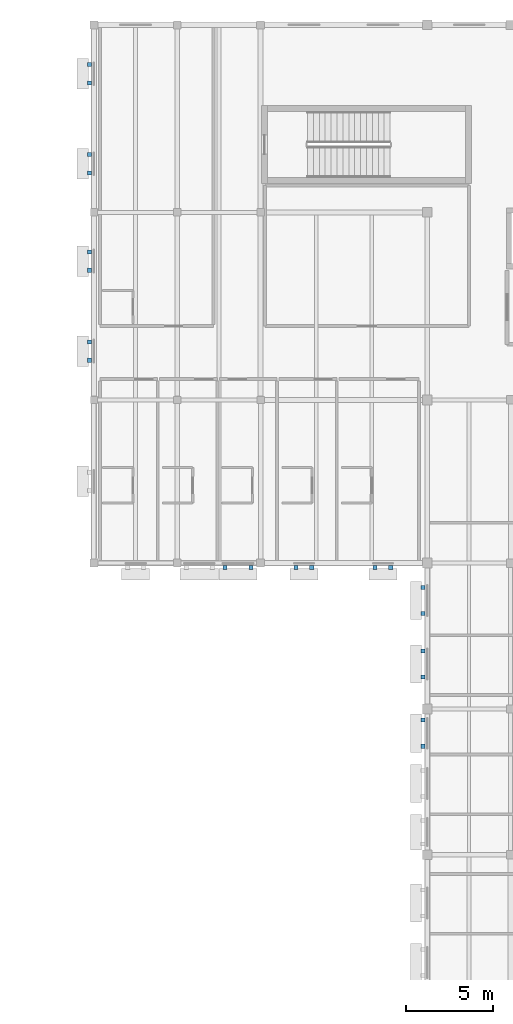
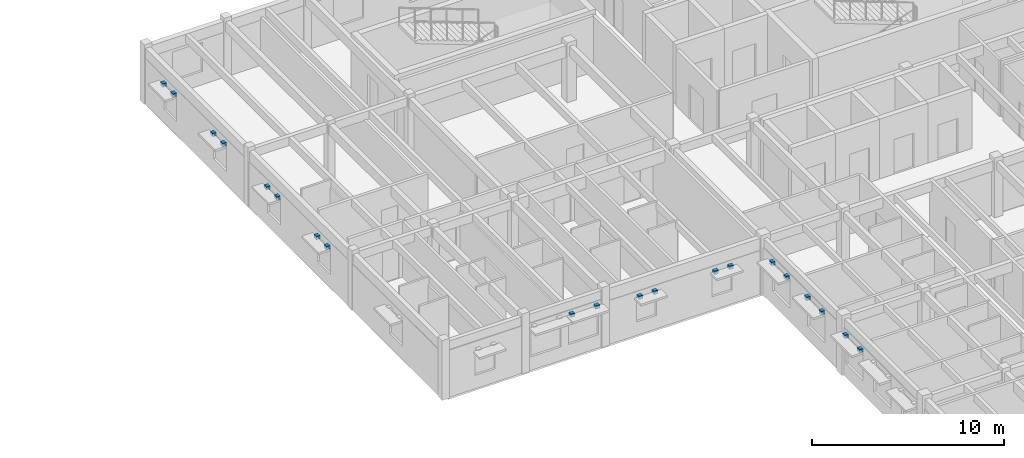
# One storey, part 23 of 31: 20 discrete accessories.
"""IFC4 building model written with IfcOpenShell, lengths in metres."""

import ifcopenshell
import ifcopenshell.guid

model = None  # the IFC model being written
_history = None  # IfcOwnerHistory: only IFC2X3 demands one
_inside = {}  # id of a spatial element -> (the spatial element, [elements in it])
_under = {}  # id of a project, library or spatial element -> (it, [spatial elements below it])
_declared = {}  # id of a project -> (the project, [libraries it declares])
_typed = {}  # id of a type object -> (the type object, [elements of that type])
_made_of = {}  # id of a material, layer set ... -> (it, [elements and type objects made of it])


def new_model(schema):
    """Start an empty IFC model of exactly this schema.

    Asked for "IFC4X3", IfcOpenShell would pick the latest addendum, in which some entities
    have other attributes; the version numbers below select the first issue.
    IFC2X3 requires an IfcOwnerHistory on every rooted entity: one is made here for all.
    """
    global model, _history
    if schema == "IFC4X3":
        model = ifcopenshell.file(schema_version=(4, 3, 0, 0))
    else:
        model = ifcopenshell.file(schema=schema)
    _inside.clear()
    _under.clear()
    _declared.clear()
    _typed.clear()
    _made_of.clear()
    _history = None
    if model.schema == "IFC2X3":
        org = make("IfcOrganization", Name="unknown")
        user = make(
            "IfcPersonAndOrganization",
            ThePerson=make("IfcPerson", FamilyName="unknown"),
            TheOrganization=org,
        )
        app = make(
            "IfcApplication",
            ApplicationDeveloper=org,
            Version="unknown",
            ApplicationFullName="unknown",
            ApplicationIdentifier="unknown",
        )
        _history = make(
            "IfcOwnerHistory",
            OwningUser=user,
            OwningApplication=app,
            ChangeAction="ADDED",
            CreationDate=0,
        )
    return model


def make(cls, **values):
    """One entity of the class cls with the attributes given. An attribute that is None is left unset."""
    return model.create_entity(
        cls, **{name: value for name, value in values.items() if value is not None}
    )


def rooted(cls, **values):
    """An entity with a GlobalId (a new one), such as an element, a storey or a relation."""
    return make(cls, GlobalId=ifcopenshell.guid.new(), OwnerHistory=_history, **values)


def si_unit(unit_type, name, prefix=None):
    """IfcSIUnit, for example si_unit("LENGTHUNIT", "METRE", prefix="MILLI")."""
    return make("IfcSIUnit", UnitType=unit_type, Prefix=prefix, Name=name)


def assignment(units):
    """IfcUnitAssignment: the units of a project."""
    return None if units is None else make("IfcUnitAssignment", Units=units)


def point(xyz):
    """IfcCartesianPoint."""
    return None if xyz is None else make("IfcCartesianPoint", Coordinates=xyz)


def direction(xyz):
    """IfcDirection."""
    return None if xyz is None else make("IfcDirection", DirectionRatios=xyz)


def frame(location, z_axis=None, x_axis=None):
    """IfcAxis2Placement3D, a coordinate frame: its origin and axes. An axis left out is left unset."""
    return make(
        "IfcAxis2Placement3D",
        Location=point(location),
        Axis=direction(z_axis),
        RefDirection=direction(x_axis),
    )


def frame_2d(location, x_axis=None):
    """IfcAxis2Placement2D, a coordinate frame in the plane: its origin and x axis."""
    return make(
        "IfcAxis2Placement2D", Location=point(location), RefDirection=direction(x_axis)
    )


def origin():
    """The frame at (0, 0, 0) with its axes left unset."""
    return frame((0.0, 0.0, 0.0))


def origin_2d():
    """The frame at (0, 0) in the plane with its x axis left unset."""
    return frame_2d((0.0, 0.0))


def place(relative_to, where):
    """IfcLocalPlacement: puts the frame where relative to a parent placement (None: the world)."""
    return make(
        "IfcLocalPlacement", PlacementRelTo=relative_to, RelativePlacement=where
    )


def context(
    kind, dimensions, precision=None, world=None, true_north=None, identifier=None
):
    """IfcGeometricRepresentationContext, for example the 3D "Model" context."""
    return make(
        "IfcGeometricRepresentationContext",
        ContextIdentifier=identifier,
        ContextType=kind,
        CoordinateSpaceDimension=dimensions,
        Precision=precision,
        WorldCoordinateSystem=world,
        TrueNorth=true_north,
    )


def subcontext(parent, identifier, kind, view, scale=None):
    """IfcGeometricRepresentationSubContext, for example "Body" below "Model"."""
    return make(
        "IfcGeometricRepresentationSubContext",
        ContextIdentifier=identifier,
        ContextType=kind,
        ParentContext=parent,
        TargetScale=scale,
        TargetView=view,
    )


def project(units=None, contexts=None):
    """IfcProject with its units and contexts."""
    return rooted(
        "IfcProject",
        Name="project",
        RepresentationContexts=contexts,
        UnitsInContext=assignment(units),
    )


def spatial(cls, under=None, at=None, **own):
    """A site, building, storey or space (cls), placed at a placement, below another one or the project."""
    s = rooted(cls, ObjectPlacement=at, **own)
    if under is not None:
        _under.setdefault(under.id(), (under, []))[1].append(s)
    return s


def profile(cls, at=None, kind="AREA", **sizes):
    """A parametric profile (cls). Its sizes go by their IFC names, for example OverallWidth=200.0."""
    return make(cls, ProfileType=kind, Position=at, **sizes)


def rectangle(**sizes):
    """IfcRectangleProfileDef."""
    return profile("IfcRectangleProfileDef", **sizes)


def extrude(swept, where, along, depth):
    """IfcExtrudedAreaSolid: the profile swept, set in the frame where, extruded along a direction by depth."""
    return make(
        "IfcExtrudedAreaSolid",
        SweptArea=swept,
        Position=where,
        ExtrudedDirection=direction(along),
        Depth=depth,
    )


def shape(context_of_items, identifier, shape_type, items):
    """IfcShapeRepresentation: the items that make up one representation, for example the "Body"."""
    return make(
        "IfcShapeRepresentation",
        ContextOfItems=context_of_items,
        RepresentationIdentifier=identifier,
        RepresentationType=shape_type,
        Items=items,
    )


def material(Name=None, Category=None):
    """IfcMaterial."""
    return make("IfcMaterial", Name=Name, Category=Category)


def made_of(thing, what):
    """Note that an element or type object is made of a material, layer set ...; save() writes the relation."""
    if what is not None:
        _made_of.setdefault(what.id(), (what, []))[1].append(thing)
    return thing


def type_object(cls, material=None, **own):
    """A type object (cls), such as IfcWallType, which elements share."""
    return made_of(rooted(cls, **own), material)


def element(
    cls,
    number,
    at=None,
    inside=None,
    cuts=None,
    type_object=None,
    material=None,
    context=None,
    identifier="Body",
    shape_type=None,
    held_by="IfcProductDefinitionShape",
    body=None,
    shapes=None,
    **own,
):
    """One element of the class cls, such as IfcWall. Its Tag is "e" and its number.

    at: its placement. inside: the storey or other place that contains it. cuts: it is an
    opening in that element (IfcRelVoidsElement). A single representation is given by context,
    identifier, shape_type and body (its items); several are given by shapes. held_by: the class
    of the entity that holds the representations. save() writes the other relations.
    """
    e = rooted(cls, Tag="e%d" % number, ObjectPlacement=at, **own)
    if body is not None:
        shapes = [shape(context, identifier, shape_type, body)]
    if shapes is not None:
        e.Representation = make(held_by, Representations=shapes)
    if inside is not None:
        _inside.setdefault(inside.id(), (inside, []))[1].append(e)
    if cuts is not None:
        rooted(
            "IfcRelVoidsElement", RelatingBuildingElement=cuts, RelatedOpeningElement=e
        )
    if type_object is not None:
        _typed.setdefault(type_object.id(), (type_object, []))[1].append(e)
    return made_of(e, material)


def aggregate(whole, parts):
    """IfcRelAggregates: a whole, such as a stair, and the parts it consists of."""
    return rooted("IfcRelAggregates", RelatingObject=whole, RelatedObjects=parts)


def save(model, path):
    """Write the relations noted so far, then the file.

    IfcRelAggregates (storeys below a building ...), IfcRelContainedInSpatialStructure (elements
    in a storey), IfcRelDefinesByType, IfcRelAssociatesMaterial and IfcRelDeclares: one each for
    every whole, place, type object, material and project.
    """
    for whole, parts in _under.values():
        aggregate(whole, parts)
    for where, things in _inside.values():
        rooted(
            "IfcRelContainedInSpatialStructure",
            RelatedElements=things,
            RelatingStructure=where,
        )
    for kind, things in _typed.values():
        rooted("IfcRelDefinesByType", RelatedObjects=things, RelatingType=kind)
    for what, things in _made_of.values():
        rooted("IfcRelAssociatesMaterial", RelatedObjects=things, RelatingMaterial=what)
    for by, libraries in _declared.values():
        rooted("IfcRelDeclares", RelatingContext=by, RelatedDefinitions=libraries)
    model.write(path)


model = new_model("IFC4")

# Units and contexts
model_context = context("Model", 3, precision=1e-05, world=origin(), true_north=direction((0.0, 1.0)))
body_context = subcontext(model_context, "Body", "Model", "MODEL_VIEW")
ifc_project = project(units=[si_unit("LENGTHUNIT", "METRE"), si_unit("AREAUNIT", "SQUARE_METRE"), si_unit("VOLUMEUNIT", "CUBIC_METRE"), si_unit("PLANEANGLEUNIT", "RADIAN"), si_unit("MASSUNIT", "GRAM", prefix="KILO")], contexts=[model_context])

# Site, building, storey
site_placement = place(None, origin())
site = spatial("IfcSite", under=ifc_project, at=site_placement, CompositionType="ELEMENT")
building_placement = place(site_placement, origin())
building = spatial("IfcBuilding", under=site, at=building_placement, Name="Veldera Park Congress Hotel", CompositionType="ELEMENT")
storey_placement = place(building_placement, frame((0.0, 0.0, 20.0)))
storey = spatial("IfcBuildingStorey", under=building, at=storey_placement, Name="L04", CompositionType="ELEMENT", Elevation=20.0)

# Discrete accessories
ifc_material = material(Name="Steel ASTM A992 Gr.50", Category="steel")
discrete_accessory_type = type_object("IfcDiscreteAccessoryType", Name="ACC-BRK160", PredefinedType="BRACKET", material=ifc_material)
for number, where, z_axis, x_axis, name in (
    (1, (41.35009765625, 55.709716796875, 2.47021484375), (0.0, 0.0, 1.0), (0.0, -1.0, 0.0), "Shading Steel Outrigger Bracket 148L"),
    (2, (41.35009765625, 54.659912109375, 2.47021484375), (0.0, 0.0, 1.0), (0.0, -1.0, 0.0), "Shading Steel Outrigger Bracket 148R"),
    (3, (41.35009765625, 50.525146484375, 2.47021484375), (0.0, 0.0, 1.0), (0.0, -1.0, 0.0), "Shading Steel Outrigger Bracket 149L"),
    (4, (41.35009765625, 49.47509765625, 2.47021484375), (0.0, 0.0, 1.0), (0.0, -1.0, 0.0), "Shading Steel Outrigger Bracket 149R"),
    (5, (41.35009765625, 44.9208984375, 2.47021484375), (0.0, 0.0, 1.0), (0.0, -1.0, 0.0), "Shading Steel Outrigger Bracket 150L"),
    (6, (41.35009765625, 43.87109375, 2.47021484375), (0.0, 0.0, 1.0), (0.0, -1.0, 0.0), "Shading Steel Outrigger Bracket 150R"),
    (7, (41.35009765625, 39.72900390625, 2.47021484375), (0.0, 0.0, 1.0), (0.0, -1.0, 0.0), "Shading Steel Outrigger Bracket 151L"),
    (8, (41.35009765625, 38.678955078125, 2.47021484375), (0.0, 0.0, 1.0), (0.0, -1.0, 0.0), "Shading Steel Outrigger Bracket 151R"),
    (9, (53.247802734375, 26.75, 2.3701171875), (0.0, 0.0, 1.0), (1.0, 0.0, 0.0), "Shading Steel Outrigger Bracket 154L"),
    (10, (54.147705078125, 26.75, 2.3701171875), (0.0, 0.0, 1.0), (1.0, 0.0, 0.0), "Shading Steel Outrigger Bracket 154R"),
    (11, (57.797119140625, 26.75, 2.3701171875), (0.0, 0.0, 1.0), (1.0, 0.0, 0.0), "Shading Steel Outrigger Bracket 155L"),
    (12, (58.697265625, 26.75, 2.3701171875), (0.0, 0.0, 1.0), (1.0, 0.0, 0.0), "Shading Steel Outrigger Bracket 155R"),
    (13, (60.550048828125, 17.9560546875, 2.669921875), (0.0, 0.0, 1.0), (0.0, -1.0, 0.0), "Shading Steel Outrigger Bracket 373L"),
    (14, (60.550048828125, 16.4560546875, 2.669921875), (0.0, 0.0, 1.0), (0.0, -1.0, 0.0), "Shading Steel Outrigger Bracket 373R"),
    (15, (60.550048828125, 21.93994140625, 2.669921875), (0.0, 0.0, 1.0), (0.0, -1.0, 0.0), "Shading Steel Outrigger Bracket 374L"),
    (16, (60.550048828125, 20.43994140625, 2.669921875), (0.0, 0.0, 1.0), (0.0, -1.0, 0.0), "Shading Steel Outrigger Bracket 374R"),
    (17, (60.550048828125, 25.595947265625, 2.669921875), (0.0, 0.0, 1.0), (0.0, -1.0, 0.0), "Shading Steel Outrigger Bracket 375L"),
    (18, (60.550048828125, 24.095947265625, 2.669921875), (0.0, 0.0, 1.0), (0.0, -1.0, 0.0), "Shading Steel Outrigger Bracket 375R"),
    (19, (49.153564453125, 26.75, 2.669921875), (0.0, 0.0, 1.0), (1.0, 0.0, 0.0), "Shading Steel Outrigger Bracket 393L"),
    (20, (50.653564453125, 26.75, 2.669921875), (0.0, 0.0, 1.0), (1.0, 0.0, 0.0), "Shading Steel Outrigger Bracket 393R"),
):
    element("IfcDiscreteAccessory", number, at=place(storey_placement, frame(where, z_axis=z_axis, x_axis=x_axis)), inside=storey, type_object=discrete_accessory_type, Name=name, PredefinedType="BRACKET", context=body_context, shape_type="SweptSolid", body=[
        extrude(rectangle(XDim=0.239990234375, YDim=0.239990234375, at=origin_2d()), origin(), (0.0, 0.0, 1.0), 0.219970703125),
    ])

save(model, "model.ifc")
